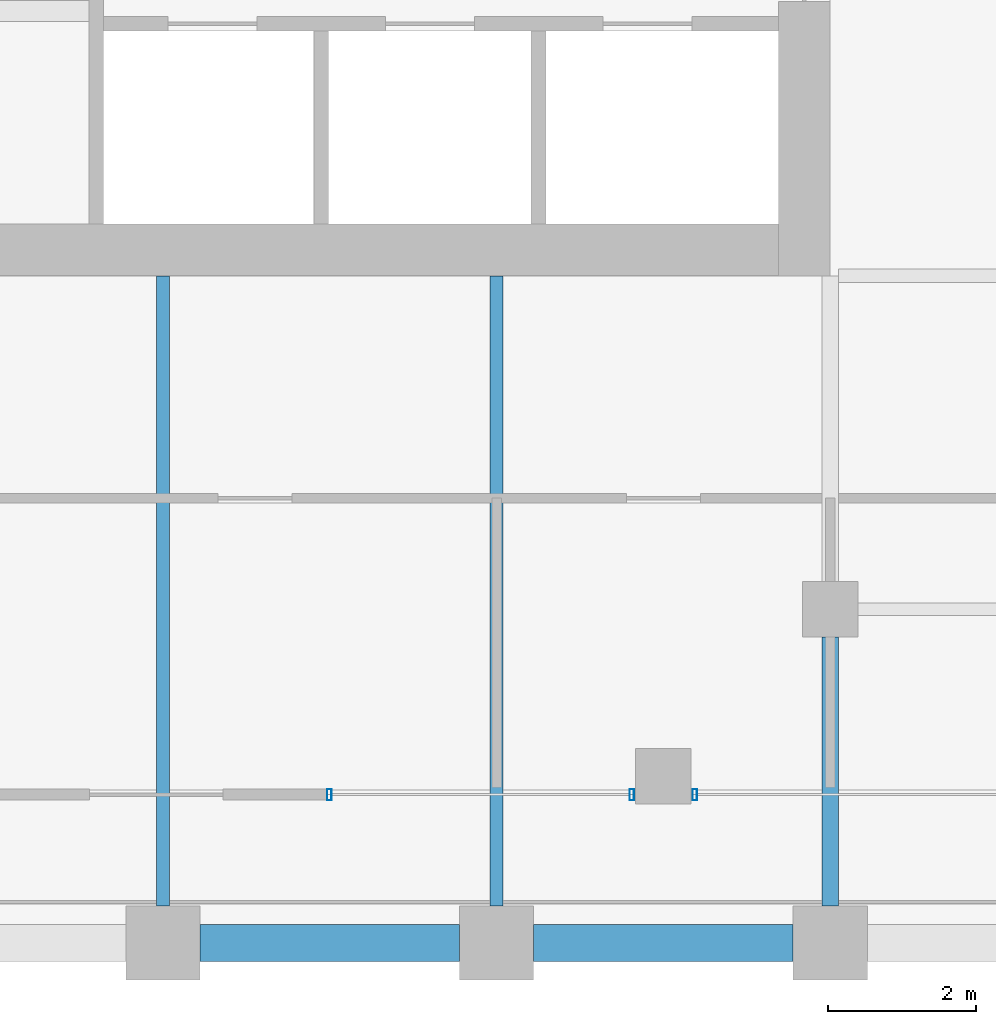
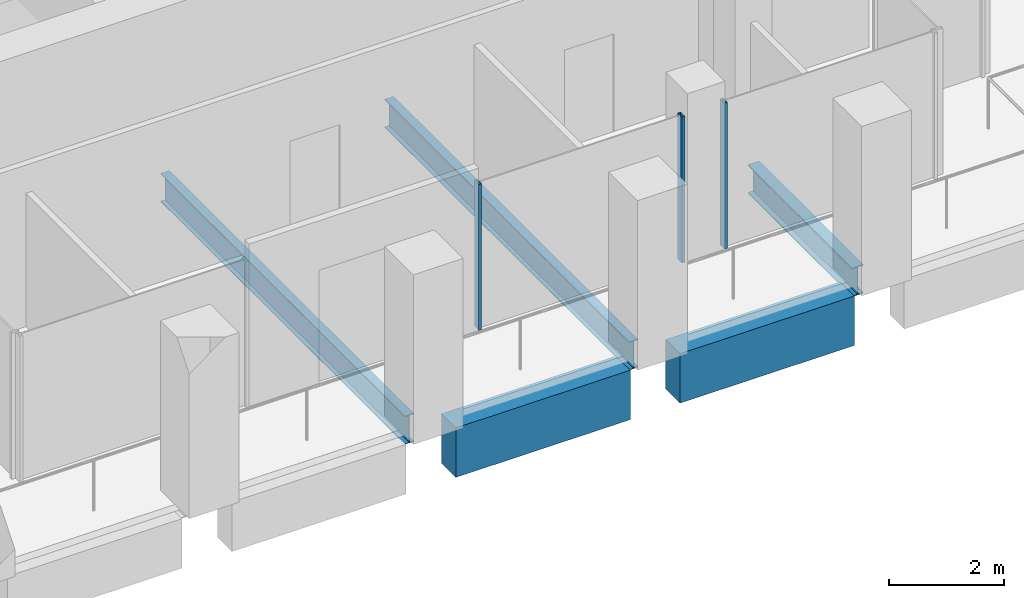
# One storey, part 31 of 46: 5 beams, 3 members, 2 elements without a shape of their own.
"""IFC4 building model written with IfcOpenShell, lengths in metres."""

from ifc_helpers import new_model, si_unit, direction, frame, origin, origin_2d, place, context, subcontext, project, spatial, rectangle, hollow_rectangle, i_section, extrude, material, material_profile, profile_set, type_object, element, aggregate, save


model = new_model("IFC4")

# Units and contexts
model_context = context("Model", 3, precision=1e-05, world=origin(), true_north=direction((0.0, 1.0)))
body_context = subcontext(model_context, "Body", "Model", "MODEL_VIEW")
ifc_project = project(units=[si_unit("LENGTHUNIT", "METRE"), si_unit("AREAUNIT", "SQUARE_METRE"), si_unit("VOLUMEUNIT", "CUBIC_METRE"), si_unit("PLANEANGLEUNIT", "RADIAN"), si_unit("MASSUNIT", "GRAM", prefix="KILO")], contexts=[model_context])

# Site, building, storey
site_placement = place(None, origin())
site = spatial("IfcSite", under=ifc_project, at=site_placement, CompositionType="ELEMENT")
building_placement = place(site_placement, origin())
building = spatial("IfcBuilding", under=site, at=building_placement, Name="Altepetl Exchange Towers", CompositionType="ELEMENT")
storey_placement = place(building_placement, frame((0.0, 0.0, 120.800048828125)))
storey = spatial("IfcBuildingStorey", under=building, at=storey_placement, Name="L29", CompositionType="ELEMENT", Elevation=120.800048828125)

# Beams
ifc_material_1 = material(Name="Steel S355", Category="steel")
ifc_material_profile_1 = material_profile(ifc_material_1, i_section(OverallWidth=0.177978515625, OverallDepth=0.59912109375, WebThickness=0.010009765625, FlangeThickness=0.0126953125, at=origin_2d()), Name="W24X55")
ifc_profile_set_1 = profile_set([ifc_material_profile_1], Name="Steel S355")
beam_type_1 = type_object("IfcBeamType", Name="Floor beam W24X55", PredefinedType="BEAM", material=ifc_profile_set_1)
for number, where, z_axis, x_axis, name in (
    (1, (108.0, 27.5, -0.449462890625), (0.0, 1.0, 0.0), (-1.0, 0.0, 0.0), "bm:B:L29:006"),
    (2, (112.5, 27.5, -0.449462890625), (0.0, 1.0, 0.0), (-1.0, 0.0, 0.0), "bm:B:L29:007"),
):
    element("IfcBeam", number, at=place(storey_placement, frame(where, z_axis=z_axis, x_axis=x_axis)), inside=storey, type_object=beam_type_1, Name=name, PredefinedType="BEAM", context=body_context, shape_type="SweptSolid", body=[
        extrude(i_section(OverallWidth=0.177978515625, OverallDepth=0.59912109375, WebThickness=0.010009765625, FlangeThickness=0.0126953125, at=origin_2d()), origin(), (0.0, 0.0, 1.0), 8.5),
    ])
ifc_material_profile_2 = material_profile(ifc_material_1, i_section(OverallWidth=0.22802734375, OverallDepth=0.60791015625, WebThickness=0.01123046875, FlangeThickness=0.017333984375, at=origin_2d()), Name="W24X76")
ifc_profile_set_2 = profile_set([ifc_material_profile_2], Name="Steel S355")
beam_type_2 = type_object("IfcBeamType", Name="Girder W24X76", PredefinedType="BEAM", material=ifc_profile_set_2)
beam_placement = place(storey_placement, frame((117.0, 31.125, -0.4541015625), z_axis=(0.0, -1.0, 0.0), x_axis=(1.0, 0.0, 0.0)))
element("IfcBeam", 3, at=beam_placement, inside=storey, type_object=beam_type_2, Name="gd:B:L29:001", PredefinedType="BEAM", context=body_context, shape_type="SweptSolid", body=[
    extrude(i_section(OverallWidth=0.22802734375, OverallDepth=0.60791015625, WebThickness=0.01123046875, FlangeThickness=0.017333984375, at=origin_2d()), origin(), (0.0, 0.0, 1.0), 3.625),
])

# Curtain wall, members
ifc_material_2 = material(Name="Aluminium 6063-T6 glazing", Category="aluminium")
curtain_wall_type = type_object("IfcCurtainWallType", Name="Loggia glazing system", PredefinedType="NOTDEFINED", material=ifc_material_2)
curtain_wall_1_placement = place(storey_placement, origin())
curtain_wall_1 = element("IfcCurtainWall", 4, at=curtain_wall_1_placement, inside=storey, type_object=curtain_wall_type, Name="CW1 run", PredefinedType="NOTDEFINED")
ifc_material_3 = material(Name="Aluminium 6063-T6", Category="aluminium")
ifc_material_profile_3 = material_profile(ifc_material_3, hollow_rectangle(XDim=0.06005859375, YDim=0.14990234375, WallThickness=0.0029296875, at=origin_2d()), Name="Mullion 60x150 aluminium")
ifc_profile_set_3 = profile_set([ifc_material_profile_3], Name="Aluminium 6063-T6")
member_type = type_object("IfcMemberType", Name="Mullion 60x150 aluminium", PredefinedType="MULLION", material=ifc_profile_set_3)
member_1_placement = place(storey_placement, frame((110.242431640625, 29.0, 0.0)))
member_1 = element("IfcMember", 5, at=member_1_placement, type_object=member_type, Name="MU1 mullion", PredefinedType="MULLION", context=body_context, shape_type="SweptSolid", body=[
    extrude(hollow_rectangle(XDim=0.06005859375, YDim=0.14990234375, WallThickness=0.0029296875, at=origin_2d()), origin(), (0.0, 0.0, 1.0), 3.099853515625),
])
member_2_placement = place(storey_placement, frame((114.324951171875, 29.0, 0.0)))
member_2 = element("IfcMember", 6, at=member_2_placement, type_object=member_type, Name="MU1 mullion", PredefinedType="MULLION", context=body_context, shape_type="SweptSolid", body=[
    extrude(hollow_rectangle(XDim=0.06005859375, YDim=0.14990234375, WallThickness=0.0029296875, at=origin_2d()), origin(), (0.0, 0.0, 1.0), 3.099853515625),
])
aggregate(curtain_wall_1, [member_1, member_2])

# Curtain wall, member
curtain_wall_2_placement = place(storey_placement, origin())
curtain_wall_2 = element("IfcCurtainWall", 7, at=curtain_wall_2_placement, inside=storey, type_object=curtain_wall_type, Name="CW1 run", PredefinedType="NOTDEFINED")
member_3_placement = place(storey_placement, frame((115.175048828125, 29.0, 0.0)))
member_3 = element("IfcMember", 8, at=member_3_placement, type_object=member_type, Name="MU1 mullion", PredefinedType="MULLION", context=body_context, shape_type="SweptSolid", body=[
    extrude(hollow_rectangle(XDim=0.06005859375, YDim=0.14990234375, WallThickness=0.0029296875, at=origin_2d()), origin(), (0.0, 0.0, 1.0), 3.099853515625),
])
aggregate(curtain_wall_2, [member_3])

# Beams
ifc_material_4 = material(Name="Concrete C50/60 precast with tezontle facing", Category="concrete")
ifc_material_profile_4 = material_profile(ifc_material_4, rectangle(XDim=0.5, YDim=1.050048828125, at=origin_2d()), Name="500 x 1050")
ifc_profile_set_4 = profile_set([ifc_material_profile_4], Name="Concrete C50/60 precast with tezontle facing")
beam_type_3 = type_object("IfcBeamType", Name="Spandrel beam 500x1050 tezontle", PredefinedType="SPANDREL", material=ifc_profile_set_4)
for number, where, z_axis, x_axis, name in (
    (9, (108.5, 27.0, -0.675048828125), (1.0, 0.0, 0.0), (0.0, 1.0, 0.0), "sp:B:L29:002"),
    (10, (113.0, 27.0, -0.675048828125), (1.0, 0.0, 0.0), (0.0, 1.0, 0.0), "sp:B:L29:003"),
):
    element("IfcBeam", number, at=place(storey_placement, frame(where, z_axis=z_axis, x_axis=x_axis)), inside=storey, type_object=beam_type_3, Name=name, PredefinedType="SPANDREL", context=body_context, shape_type="SweptSolid", body=[
        extrude(rectangle(XDim=0.5, YDim=1.050048828125, at=origin_2d()), origin(), (0.0, 0.0, 1.0), 3.5),
    ])

save(model, "model.ifc")
